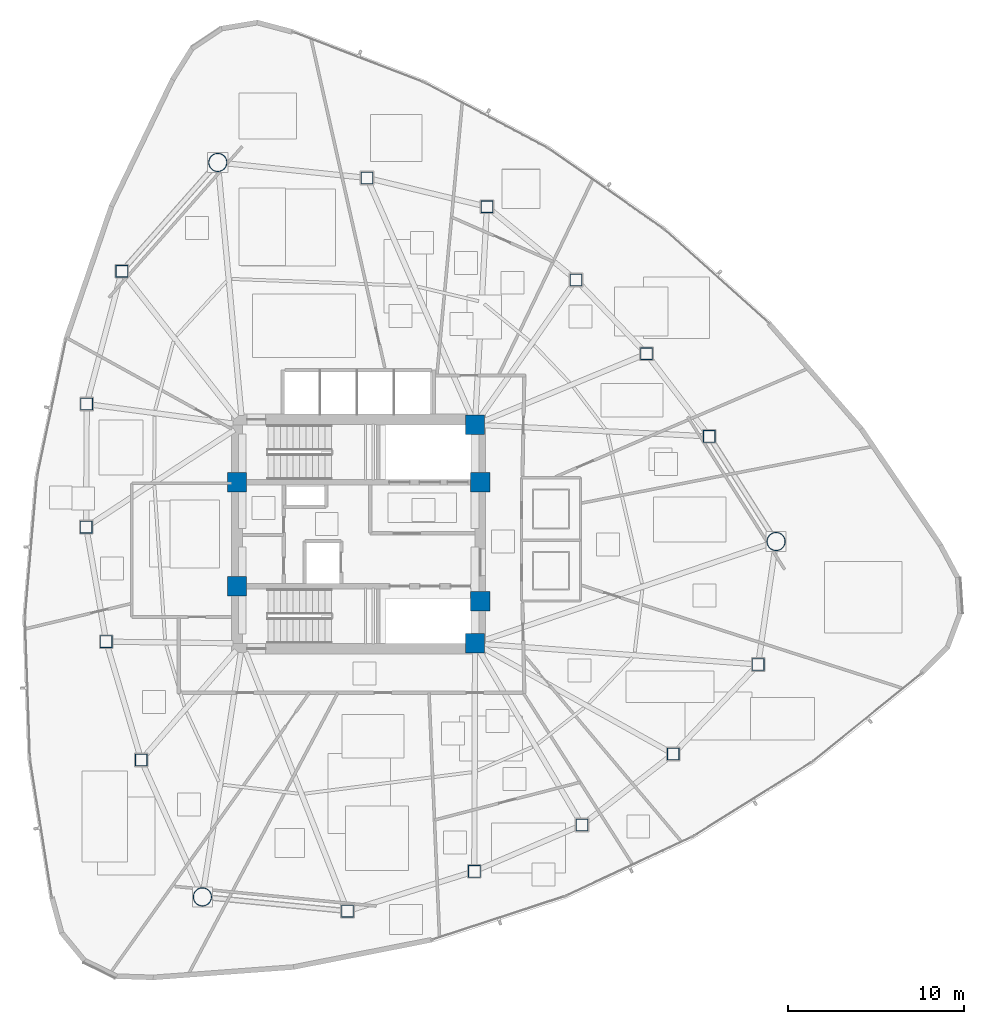
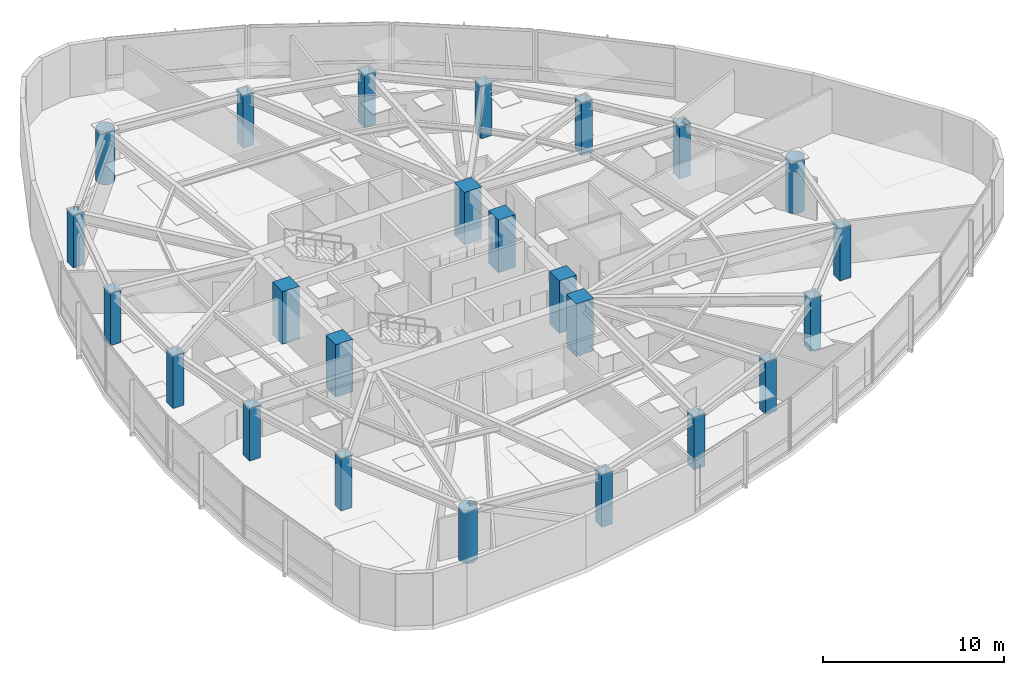
# One storey, part 1 of 17: 24 columns.
"""IFC4 building model written with IfcOpenShell, lengths in metres."""

from ifc_helpers import new_model, si_unit, direction, frame, origin, origin_2d, place, context, subcontext, project, spatial, rectangle, hollow_rectangle, hollow_circle, extrude, material, material_profile, profile_set, type_object, element, save


model = new_model("IFC4")

# Units and contexts
model_context = context("Model", 3, precision=1e-05, world=origin(), true_north=direction((0.0, 1.0)))
body_context = subcontext(model_context, "Body", "Model", "MODEL_VIEW")
ifc_project = project(units=[si_unit("LENGTHUNIT", "METRE"), si_unit("AREAUNIT", "SQUARE_METRE"), si_unit("VOLUMEUNIT", "CUBIC_METRE"), si_unit("PLANEANGLEUNIT", "RADIAN"), si_unit("MASSUNIT", "GRAM", prefix="KILO")], contexts=[model_context])

# Site, building, storey
site_placement = place(None, origin())
site = spatial("IfcSite", under=ifc_project, at=site_placement, CompositionType="ELEMENT")
building_placement = place(site_placement, origin())
building = spatial("IfcBuilding", under=site, at=building_placement, Name="Tavelor Broadcast Tower", CompositionType="ELEMENT")
storey_placement = place(building_placement, frame((0.0, 0.0, 123.300048828125)))
storey = spatial("IfcBuildingStorey", under=building, at=storey_placement, Name="L28", CompositionType="ELEMENT", Elevation=123.300048828125)

# Columns
ifc_material_1 = material(Name="Concrete C60/75", Category="concrete")
ifc_material_profile_1 = material_profile(ifc_material_1, rectangle(XDim=1.10009765625, YDim=1.10009765625, at=origin_2d()), Name="RC 1100x1100")
ifc_profile_set_1 = profile_set([ifc_material_profile_1], Name="Concrete C60/75")
column_type_1 = type_object("IfcColumnType", Name="Core Embedded Composite Column RC1100", PredefinedType="COLUMN", material=ifc_profile_set_1)
for number, where, z_axis, x_axis, name in (
    (1, (43.10009765625, 47.949951171875, 0.0), (0.0, 0.0, 1.0), (1.0, 0.0, 0.0), "L28 Core Embedded Column 1"),
    (2, (56.89990234375, 47.949951171875, 0.0), (0.0, 0.0, 1.0), (1.0, 0.0, 0.0), "L28 Core Embedded Column 2"),
    (3, (56.60009765625, 51.199951171875, 0.0), (0.0, 0.0, 1.0), (1.0, 0.0, 0.0), "L28 Core Embedded Column 3"),
    (4, (43.10009765625, 42.050048828125, 0.0), (0.0, 0.0, 1.0), (1.0, 0.0, 0.0), "L28 Core Embedded Column 4"),
    (5, (56.89990234375, 41.199951171875, 0.0), (0.0, 0.0, 1.0), (1.0, 0.0, 0.0), "L28 Core Embedded Column 5"),
    (6, (56.60009765625, 38.800048828125, 0.0), (0.0, 0.0, 1.0), (1.0, 0.0, 0.0), "L28 Core Embedded Column 6"),
):
    element("IfcColumn", number, at=place(storey_placement, frame(where, z_axis=z_axis, x_axis=x_axis)), inside=storey, type_object=column_type_1, Name=name, PredefinedType="COLUMN", context=body_context, shape_type="SweptSolid", body=[
        extrude(rectangle(XDim=1.10009765625, YDim=1.10009765625, at=origin_2d()), origin(), (0.0, 0.0, 1.0), 3.550048828125),
    ])
ifc_material_2 = material(Name="Steel S460", Category="steel")
ifc_material_profile_2 = material_profile(ifc_material_2, hollow_rectangle(XDim=0.699951171875, YDim=0.699951171875, WallThickness=0.0400390625, at=origin_2d()), Name="SHS 700x700x40")
ifc_profile_set_2 = profile_set([ifc_material_profile_2], Name="Steel S460")
column_type_2 = type_object("IfcColumnType", Name="Perimeter Tube Column T3 SHS 700x700x40", PredefinedType="COLUMN", material=ifc_profile_set_2)
for number, where, z_axis, x_axis, name in (
    (7, (36.567626953125, 59.91064453125, 0.0), (0.0, 0.0, 1.0), (1.0, 0.0, 0.0), "L28 Perimeter Framed-Tube Column 02"),
    (8, (34.5751953125, 52.37939453125, 0.0), (0.0, 0.0, 1.0), (1.0, 0.0, 0.0), "L28 Perimeter Framed-Tube Column 03"),
    (9, (34.54638671875, 45.399169921875, 0.0), (0.0, 0.0, 1.0), (1.0, 0.0, 0.0), "L28 Perimeter Framed-Tube Column 04"),
    (10, (35.680908203125, 38.89990234375, 0.0), (0.0, 0.0, 1.0), (1.0, 0.0, 0.0), "L28 Perimeter Framed-Tube Column 05"),
    (11, (37.668212890625, 32.1904296875, 0.0), (0.0, 0.0, 1.0), (1.0, 0.0, 0.0), "L28 Perimeter Framed-Tube Column 06"),
    (12, (49.366455078125, 23.618896484375, 0.0), (0.0, 0.0, 1.0), (1.0, 0.0, 0.0), "L28 Perimeter Framed-Tube Column 08"),
    (13, (56.56103515625, 25.872802734375, 0.0), (0.0, 0.0, 1.0), (1.0, 0.0, 0.0), "L28 Perimeter Framed-Tube Column 09"),
    (14, (62.669189453125, 28.503173828125, 0.0), (0.0, 0.0, 1.0), (1.0, 0.0, 0.0), "L28 Perimeter Framed-Tube Column 10"),
    (15, (67.84228515625, 32.53173828125, 0.0), (0.0, 0.0, 1.0), (1.0, 0.0, 0.0), "L28 Perimeter Framed-Tube Column 11"),
    (16, (72.6591796875, 37.607421875, 0.0), (0.0, 0.0, 1.0), (1.0, 0.0, 0.0), "L28 Perimeter Framed-Tube Column 12"),
    (17, (69.885986328125, 50.544189453125, 0.0), (0.0, 0.0, 1.0), (1.0, 0.0, 0.0), "L28 Perimeter Framed-Tube Column 14"),
    (18, (66.322021484375, 55.228759765625, 0.0), (0.0, 0.0, 1.0), (1.0, 0.0, 0.0), "L28 Perimeter Framed-Tube Column 15"),
    (19, (62.330810546875, 59.416259765625, 0.0), (0.0, 0.0, 1.0), (1.0, 0.0, 0.0), "L28 Perimeter Framed-Tube Column 16"),
    (20, (57.276611328125, 63.568359375, 0.0), (0.0, 0.0, 1.0), (1.0, 0.0, 0.0), "L28 Perimeter Framed-Tube Column 17"),
    (21, (50.472412109375, 65.2021484375, 0.0), (0.0, 0.0, 1.0), (1.0, 0.0, 0.0), "L28 Perimeter Framed-Tube Column 18"),
):
    element("IfcColumn", number, at=place(storey_placement, frame(where, z_axis=z_axis, x_axis=x_axis)), inside=storey, type_object=column_type_2, Name=name, PredefinedType="COLUMN", context=body_context, shape_type="SweptSolid", body=[
        extrude(hollow_rectangle(XDim=0.699951171875, YDim=0.699951171875, WallThickness=0.0400390625, at=origin_2d()), origin(), (0.0, 0.0, 1.0), 3.550048828125),
    ])
ifc_material_profile_3 = material_profile(ifc_material_2, hollow_circle(Radius=0.533447265625, WallThickness=0.044921875, at=origin_2d()), Name="CHS 1067x45")
ifc_profile_set_3 = profile_set([ifc_material_profile_3], Name="Steel S460")
column_type_3 = type_object("IfcColumnType", Name="Tower Mega Column T3 CHS 1067x45", PredefinedType="COLUMN", material=ifc_profile_set_3)
for number, where, z_axis, x_axis, name in (
    (22, (42.01123046875, 66.080078125, 0.0), (0.0, 0.0, 1.0), (1.0, 0.0, 0.0), "L28 Tower Corner Mega Column 01"),
    (23, (41.138671875, 24.423828125, 0.0), (0.0, 0.0, 1.0), (1.0, 0.0, 0.0), "L28 Tower Corner Mega Column 07"),
    (24, (73.676025390625, 44.57958984375, 0.0), (0.0, 0.0, 1.0), (1.0, 0.0, 0.0), "L28 Tower Corner Mega Column 13"),
):
    element("IfcColumn", number, at=place(storey_placement, frame(where, z_axis=z_axis, x_axis=x_axis)), inside=storey, type_object=column_type_3, Name=name, PredefinedType="COLUMN", context=body_context, shape_type="SweptSolid", body=[
        extrude(hollow_circle(Radius=0.533447265625, WallThickness=0.044921875, at=origin_2d()), origin(), (0.0, 0.0, 1.0), 3.550048828125),
    ])

save(model, "model.ifc")
